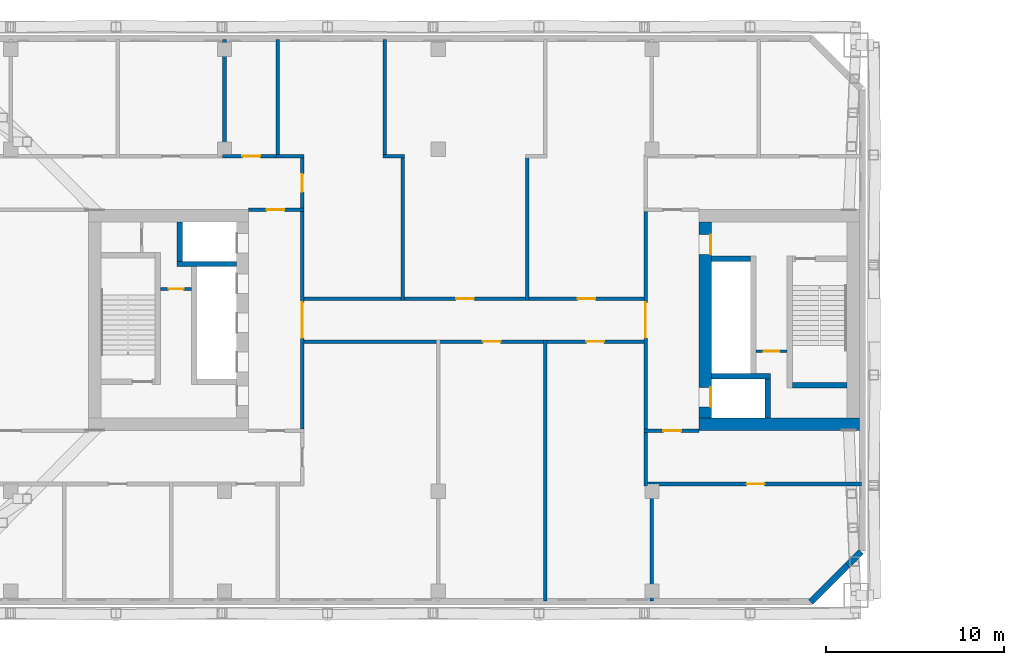
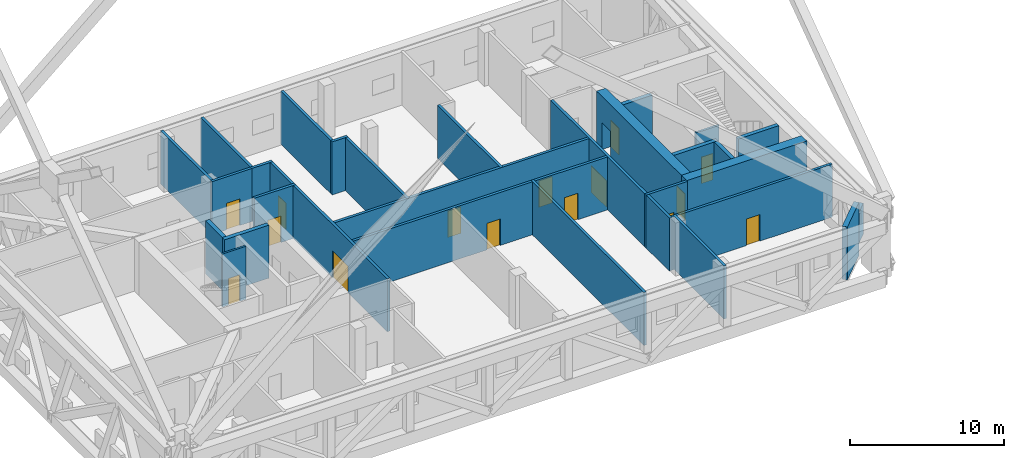
# One storey, part 9 of 20: 31 walls, 15 doors, 15 openings.
"""IFC4 building model written with IfcOpenShell, lengths in metres."""

from ifc_helpers import new_model, si_unit, direction, frame, frame_2d, origin, place, context, subcontext, project, spatial, rectangle, extrude, material, layer, layer_set, type_object, element, fill, save


model = new_model("IFC4")

# Units and contexts
model_context = context("Model", 3, precision=1e-05, world=origin(), true_north=direction((0.0, 1.0)))
body_context = subcontext(model_context, "Body", "Model", "MODEL_VIEW")
ifc_project = project(units=[si_unit("LENGTHUNIT", "METRE"), si_unit("AREAUNIT", "SQUARE_METRE"), si_unit("VOLUMEUNIT", "CUBIC_METRE"), si_unit("PLANEANGLEUNIT", "RADIAN"), si_unit("MASSUNIT", "GRAM", prefix="KILO")], contexts=[model_context])

# Site, building, storey
site_placement = place(None, origin())
site = spatial("IfcSite", under=ifc_project, at=site_placement, CompositionType="ELEMENT")
building_placement = place(site_placement, origin())
building = spatial("IfcBuilding", under=site, at=building_placement, Name="Tuart Gate Housing", CompositionType="ELEMENT")
storey_placement = place(building_placement, frame((0.0, 0.0, 62.89990234375)))
storey = spatial("IfcBuildingStorey", under=building, at=storey_placement, Name="L17", CompositionType="ELEMENT", Elevation=62.89990234375)

# Walls
ifc_material_1 = material(Name="Brick", Category="masonry")
ifc_layer_1 = layer(ifc_material_1, 0.360107421875)
ifc_layer_set_1 = layer_set([ifc_layer_1], Name="Brick pier and spandrel wall 360")
wall_type_1 = type_object("IfcWallType", Name="Brick pier and spandrel wall 360", PredefinedType="STANDARD", material=ifc_layer_set_1)
wall_1_placement = place(storey_placement, frame((72.92529296875, 54.179931640625, 0.0), z_axis=(0.0, 0.0, 1.0), x_axis=(0.707148882153, 0.707064677713, 0.0)))
element("IfcWall", 1, at=wall_1_placement, inside=storey, type_object=wall_type_1, Name="External wall A-SE L17", PredefinedType="STANDARD", context=body_context, shape_type="SweptSolid", body=[
    extrude(rectangle(XDim=2.8994140625, YDim=0.360107421875, at=frame_2d((1.44970703125, 0.0))), origin(), (0.0, 0.0, 1.0), 4.2001953125),
])
wall_2_placement = place(storey_placement, frame((74.9755859375, 56.22998046875, 0.953125), z_axis=(0.0, 0.0, 1.0), x_axis=(0.706994764273, 0.707218780358, 0.0)))
element("IfcWall", 2, at=wall_2_placement, inside=storey, type_object=wall_type_1, Name="External wall A-SE L17", PredefinedType="STANDARD", context=body_context, shape_type="SweptSolid", body=[
    extrude(rectangle(XDim=1.08984375, YDim=0.360107421875, at=frame_2d((0.544921875, 0.0))), origin(), (0.0, 0.0, 1.0), 2.444091796875),
])

# Wall, opening, door
ifc_material_2 = material(Name="Plasterboard partition")
ifc_layer_2 = layer(ifc_material_2, 0.14990234375)
ifc_layer_set_2 = layer_set([ifc_layer_2], Name="Core partition 150")
wall_type_2 = type_object("IfcWallType", Name="Core partition 150", PredefinedType="PARTITIONING", material=ifc_layer_set_2)
wall_3_placement = place(storey_placement, frame((69.840087890625, 68.25, 0.0), z_axis=(0.0, 0.0, 1.0), x_axis=(1.0, 0.0, 0.0)))
wall_3 = element("IfcWall", 3, at=wall_3_placement, inside=storey, type_object=wall_type_2, Name="Core partition AG.3", PredefinedType="PARTITIONING", context=body_context, shape_type="SweptSolid", body=[
    extrude(rectangle(XDim=1.75, YDim=0.14990234375, at=frame_2d((0.875, 0.0))), origin(), (0.0, 0.0, 1.0), 4.2001953125),
])
opening_1_placement = place(wall_3_placement, frame((0.449951171875, 0.0, 0.0)))
opening_1 = element("IfcOpeningElement", 4, at=opening_1_placement, cuts=wall_3, Name="Opening D3332", PredefinedType="OPENING", context=body_context, shape_type="SweptSolid", body=[
    extrude(rectangle(XDim=0.85009765625, YDim=2.10009765625, at=frame_2d((0.425048828125, 1.050048828125))), frame((0.0, 0.0849609375, 0.0), z_axis=(0.0, -1.0, 0.0), x_axis=(1.0, 0.0, 0.0)), (0.0, 0.0, 1.0), 0.169921875),
])
ifc_material_3 = material(Name="Steel fire door", Category="steel")
door_type_1 = type_object("IfcDoorType", Name="Riser door 850 x 2100 RH", OperationType="SINGLE_SWING_RIGHT", PredefinedType="DOOR", material=ifc_material_3)
door_1_placement = place(opening_1_placement, frame((0.85009765625, 0.0, 0.0), z_axis=(0.0, 0.0, 1.0), x_axis=(-1.0, 0.0, 0.0)))
door_1 = element("IfcDoor", 5, at=door_1_placement, inside=storey, type_object=door_type_1, Name="Service room door AG.E1", OperationType="SINGLE_SWING_RIGHT", OverallHeight=2.10009765625, OverallWidth=0.85009765625, PredefinedType="DOOR", context=body_context, shape_type="SweptSolid", body=[
    extrude(rectangle(XDim=0.85009765625, YDim=2.10009765625, at=frame_2d((0.425048828125, 1.050048828125))), frame((0.0, 0.025146484375, 0.0), z_axis=(0.0, -1.0, 0.0), x_axis=(1.0, 0.0, 0.0)), (0.0, 0.0, 1.0), 0.050048828125),
])
fill(opening_1, door_1)

wall_4_placement = place(storey_placement, frame((38.159912109375, 71.75, 0.0), z_axis=(0.0, 0.0, 1.0), x_axis=(-1.0, 0.0, 0.0)))
wall_4 = element("IfcWall", 6, at=wall_4_placement, inside=storey, type_object=wall_type_2, Name="Core partition AK.3", PredefinedType="PARTITIONING", context=body_context, shape_type="SweptSolid", body=[
    extrude(rectangle(XDim=1.75, YDim=0.14990234375, at=frame_2d((0.875, 0.0))), origin(), (0.0, 0.0, 1.0), 4.2001953125),
])
opening_2_placement = place(wall_4_placement, frame((0.449951171875, 0.0, 0.0)))
opening_2 = element("IfcOpeningElement", 7, at=opening_2_placement, cuts=wall_4, Name="Opening D3323", PredefinedType="OPENING", context=body_context, shape_type="SweptSolid", body=[
    extrude(rectangle(XDim=0.85009765625, YDim=2.10009765625, at=frame_2d((0.425048828125, 1.050048828125))), frame((0.0, 0.0849609375, 0.0), z_axis=(0.0, -1.0, 0.0), x_axis=(1.0, 0.0, 0.0)), (0.0, 0.0, 1.0), 0.169921875),
])
door_2_placement = place(opening_2_placement, frame((0.85009765625, 0.0, 0.0), z_axis=(0.0, 0.0, 1.0), x_axis=(-1.0, 0.0, 0.0)))
door_2 = element("IfcDoor", 8, at=door_2_placement, inside=storey, type_object=door_type_1, Name="Service room door AK.E1", OperationType="SINGLE_SWING_RIGHT", OverallHeight=2.10009765625, OverallWidth=0.85009765625, PredefinedType="DOOR", context=body_context, shape_type="SweptSolid", body=[
    extrude(rectangle(XDim=0.85009765625, YDim=2.10009765625, at=frame_2d((0.425048828125, 1.050048828125))), frame((0.0, 0.025146484375, 0.0), z_axis=(0.0, -1.0, 0.0), x_axis=(1.0, 0.0, 0.0)), (0.0, 0.0, 1.0), 0.050048828125),
])
fill(opening_2, door_2)

# Walls
ifc_material_4 = material(Name="Concrete C50", Category="concrete")
ifc_layer_3 = layer(ifc_material_4, 0.300048828125)
ifc_layer_set_3 = layer_set([ifc_layer_3], Name="Core wall 300 C50")
wall_type_3 = type_object("IfcWallType", Name="Core wall 300 C50", PredefinedType="SHEAR", material=ifc_layer_set_3)
wall_5_placement = place(storey_placement, frame((71.889892578125, 66.35009765625, 0.0), z_axis=(0.0, 0.0, 1.0), x_axis=(1.0, 0.0, 0.0)))
element("IfcWall", 9, at=wall_5_placement, inside=storey, type_object=wall_type_3, Name="Core wall AG.1", PredefinedType="SHEAR", context=body_context, shape_type="SweptSolid", body=[
    extrude(rectangle(XDim=3.050048828125, YDim=0.300048828125, at=frame_2d((1.52490234375, 0.0))), origin(), (0.0, 0.0, 1.0), 4.2001953125),
])
wall_6_placement = place(storey_placement, frame((67.340087890625, 66.85009765625, 0.0), z_axis=(0.0, 0.0, 1.0), x_axis=(1.0, 0.0, 0.0)))
element("IfcWall", 10, at=wall_6_placement, inside=storey, type_object=wall_type_3, Name="Core wall AG.2", PredefinedType="SHEAR", context=body_context, shape_type="SweptSolid", body=[
    extrude(rectangle(XDim=3.31982421875, YDim=0.300048828125, at=frame_2d((1.659912109375, 0.0))), origin(), (0.0, 0.0, 1.0), 4.2001953125),
])
for number, where, z_axis, x_axis, name in (
    (11, (67.340087890625, 73.449951171875, 0.0), (0.0, 0.0, 1.0), (1.0, 0.0, 0.0), "Core wall AG.4"),
    (12, (70.510009765625, 64.5, 0.0), (0.0, 0.0, 1.0), (0.0, 1.0, 0.0), "Core wall AG.7"),
):
    element("IfcWall", number, at=place(storey_placement, frame(where, z_axis=z_axis, x_axis=x_axis)), inside=storey, type_object=wall_type_3, Name=name, PredefinedType="SHEAR", context=body_context, shape_type="SweptSolid", body=[
        extrude(rectangle(XDim=2.199951171875, YDim=0.300048828125, at=frame_2d((1.10009765625, 0.0))), origin(), (0.0, 0.0, 1.0), 4.2001953125),
    ])
wall_7_placement = place(storey_placement, frame((40.659912109375, 73.14990234375, 0.0), z_axis=(0.0, 0.0, 1.0), x_axis=(-1.0, 0.0, 0.0)))
element("IfcWall", 13, at=wall_7_placement, inside=storey, type_object=wall_type_3, Name="Core wall AK.2", PredefinedType="SHEAR", context=body_context, shape_type="SweptSolid", body=[
    extrude(rectangle(XDim=3.31982421875, YDim=0.300048828125, at=frame_2d((1.659912109375, 0.0))), origin(), (0.0, 0.0, 1.0), 4.2001953125),
])
wall_8_placement = place(storey_placement, frame((37.489990234375, 75.5, 0.0), z_axis=(0.0, 0.0, 1.0), x_axis=(0.0, -1.0, 0.0)))
element("IfcWall", 14, at=wall_8_placement, inside=storey, type_object=wall_type_3, Name="Core wall AK.7", PredefinedType="SHEAR", context=body_context, shape_type="SweptSolid", body=[
    extrude(rectangle(XDim=2.199951171875, YDim=0.300048828125, at=frame_2d((1.10009765625, 0.0))), origin(), (0.0, 0.0, 1.0), 4.2001953125),
])

# Wall, openings, doors
ifc_material_5 = material(Name="Concrete C50", Category="concrete")
ifc_layer_4 = layer(ifc_material_5, 0.699951171875)
ifc_layer_set_4 = layer_set([ifc_layer_4], Name="Core wall 700 C50")
wall_type_4 = type_object("IfcWallType", Name="Core wall 700 C50", PredefinedType="SHEAR", material=ifc_layer_set_4)
wall_9_placement = place(storey_placement, frame((66.989990234375, 64.5, 0.0), z_axis=(0.0, 0.0, 1.0), x_axis=(0.0, 1.0, 0.0)))
wall_9 = element("IfcWall", 15, at=wall_9_placement, inside=storey, type_object=wall_type_4, Name="Core wall AG front", PredefinedType="SHEAR", context=body_context, shape_type="SweptSolid", body=[
    extrude(rectangle(XDim=11.0, YDim=0.699951171875, at=frame_2d((5.5, 0.0))), origin(), (0.0, 0.0, 1.0), 4.2001953125),
])
opening_3_placement = place(wall_9_placement, frame((0.625, 0.0, 0.0)))
opening_3 = element("IfcOpeningElement", 16, at=opening_3_placement, cuts=wall_9, Name="Opening LD-FA1", PredefinedType="OPENING", context=body_context, shape_type="SweptSolid", body=[
    extrude(rectangle(XDim=1.10009765625, YDim=2.10009765625, at=frame_2d((0.550048828125, 1.050048828125))), frame((0.0, 0.35986328125, 0.0), z_axis=(0.0, -1.0, 0.0), x_axis=(1.0, 0.0, 0.0)), (0.0, 0.0, 1.0), 0.719970703125),
])
opening_4_placement = place(wall_9_placement, frame((9.199951171875, 0.0, 0.0)))
opening_4 = element("IfcOpeningElement", 17, at=opening_4_placement, cuts=wall_9, Name="Opening D3329", PredefinedType="OPENING", context=body_context, shape_type="SweptSolid", body=[
    extrude(rectangle(XDim=1.10009765625, YDim=2.10009765625, at=frame_2d((0.550048828125, 1.050048828125))), frame((0.0, 0.35986328125, 0.0), z_axis=(0.0, -1.0, 0.0), x_axis=(1.0, 0.0, 0.0)), (0.0, 0.0, 1.0), 0.719970703125),
])
ifc_material_6 = material(Name="Stainless steel", Category="steel")
door_type_2 = type_object("IfcDoorType", Name="Landing door 1100 x 2100", OperationType="DOUBLE_DOOR_SLIDING", PredefinedType="DOOR", material=ifc_material_6)
door_3_placement = place(opening_3_placement, origin())
door_3 = element("IfcDoor", 18, at=door_3_placement, inside=storey, type_object=door_type_2, Name="Lift landing door FA1", OperationType="DOUBLE_DOOR_SLIDING", OverallHeight=2.10009765625, OverallWidth=1.10009765625, PredefinedType="DOOR", context=body_context, shape_type="SweptSolid", body=[
    extrude(rectangle(XDim=1.10009765625, YDim=2.10009765625, at=frame_2d((0.550048828125, 1.050048828125))), frame((0.0, -0.28515625, 0.0), z_axis=(0.0, -1.0, 0.0), x_axis=(1.0, 0.0, 0.0)), (0.0, 0.0, 1.0), 0.050048828125),
])
fill(opening_3, door_3)
ifc_material_7 = material(Name="Steel fire door", Category="steel")
door_type_3 = type_object("IfcDoorType", Name="Lobby door 1100 x 2100 RH", OperationType="SINGLE_SWING_RIGHT", PredefinedType="DOOR", material=ifc_material_7)
door_4_placement = place(opening_4_placement, frame((1.10009765625, 0.0, 0.0), z_axis=(0.0, 0.0, 1.0), x_axis=(-1.0, 0.0, 0.0)))
door_4 = element("IfcDoor", 19, at=door_4_placement, inside=storey, type_object=door_type_3, Name="Lobby entry door AG.EN", OperationType="SINGLE_SWING_RIGHT", OverallHeight=2.10009765625, OverallWidth=1.10009765625, PredefinedType="DOOR", context=body_context, shape_type="SweptSolid", body=[
    extrude(rectangle(XDim=1.10009765625, YDim=2.10009765625, at=frame_2d((0.550048828125, 1.050048828125))), frame((0.0, 0.335205078125, 0.0), z_axis=(0.0, -1.0, 0.0), x_axis=(1.0, 0.0, 0.0)), (0.0, 0.0, 1.0), 0.050048828125),
])
fill(opening_4, door_4)

# Wall
wall_10_placement = place(storey_placement, frame((66.639892578125, 64.14990234375, 0.0), z_axis=(0.0, 0.0, 1.0), x_axis=(1.0, 0.0, 0.0)))
element("IfcWall", 20, at=wall_10_placement, inside=storey, type_object=wall_type_4, Name="Core wall AG south", PredefinedType="SHEAR", context=body_context, shape_type="SweptSolid", body=[
    extrude(rectangle(XDim=9.0, YDim=0.699951171875, at=frame_2d((4.5, 0.0))), origin(), (0.0, 0.0, 1.0), 4.2001953125),
])

# Wall, opening, door
ifc_material_8 = material(Name="Concrete masonry 15 MPa", Category="masonry")
ifc_layer_5 = layer(ifc_material_8, 0.199951171875)
ifc_layer_set_5 = layer_set([ifc_layer_5], Name="Corridor wall masonry 200")
wall_type_5 = type_object("IfcWallType", Name="Corridor wall masonry 200", PredefinedType="PARTITIONING", material=ifc_layer_set_5)
wall_11_placement = place(storey_placement, frame((39.89990234375, 79.199951171875, 0.0), z_axis=(0.0, 0.0, 1.0), x_axis=(1.0, 0.0, 0.0)))
wall_11 = element("IfcWall", 21, at=wall_11_placement, inside=storey, type_object=wall_type_5, Name="Corridor wall masonry 200", PredefinedType="PARTITIONING", context=body_context, shape_type="SweptSolid", body=[
    extrude(rectangle(XDim=3.2001953125, YDim=0.199951171875, at=frame_2d((1.60009765625, 0.0))), origin(), (0.0, 0.0, 1.0), 4.2001953125),
])
opening_5_placement = place(wall_11_placement, frame((1.10009765625, 0.0, 0.0)))
opening_5 = element("IfcOpeningElement", 22, at=opening_5_placement, cuts=wall_11, Name="Opening D3315", PredefinedType="OPENING", context=body_context, shape_type="SweptSolid", body=[
    extrude(rectangle(XDim=1.0, YDim=2.10009765625, at=frame_2d((0.5, 1.050048828125))), frame((0.0, 0.10986328125, 0.0), z_axis=(0.0, -1.0, 0.0), x_axis=(1.0, 0.0, 0.0)), (0.0, 0.0, 1.0), 0.219970703125),
])
ifc_material_9 = material(Name="Timber door leaf in steel frame", Category="steel")
door_type_4 = type_object("IfcDoorType", Name="Fire door 1000", OperationType="SINGLE_SWING_LEFT", PredefinedType="DOOR", material=ifc_material_9)
door_5_placement = place(opening_5_placement, origin())
door_5 = element("IfcDoor", 23, at=door_5_placement, inside=storey, type_object=door_type_4, Name="Fire door 1000", OperationType="SINGLE_SWING_LEFT", OverallHeight=2.10009765625, OverallWidth=1.0, PredefinedType="DOOR", context=body_context, shape_type="SweptSolid", body=[
    extrude(rectangle(XDim=1.0, YDim=2.10009765625, at=frame_2d((0.5, 1.050048828125))), frame((0.0, 0.02490234375, 0.0), z_axis=(0.0, -1.0, 0.0), x_axis=(1.0, 0.0, 0.0)), (0.0, 0.0, 1.0), 0.050048828125),
])
fill(opening_5, door_5)

ifc_material_10 = material(Name="Concrete masonry 15 MPa", Category="masonry")
ifc_layer_6 = layer(ifc_material_10, 0.199951171875)
ifc_layer_set_6 = layer_set([ifc_layer_6], Name="Enclosure wall masonry 200")
wall_type_6 = type_object("IfcWallType", Name="Enclosure wall masonry 200", PredefinedType="PARTITIONING", material=ifc_layer_set_6)
wall_12_placement = place(storey_placement, frame((63.5400390625, 60.800048828125, 0.0), z_axis=(0.0, 0.0, 1.0), x_axis=(1.0, 0.0, 0.0)))
wall_12 = element("IfcWall", 24, at=wall_12_placement, inside=storey, type_object=wall_type_6, Name="Enclosure wall masonry 200", PredefinedType="PARTITIONING", context=body_context, shape_type="SweptSolid", body=[
    extrude(rectangle(XDim=12.219970703125, YDim=0.199951171875, at=frame_2d((6.10986328125, 0.0))), origin(), (0.0, 0.0, 1.0), 4.2001953125),
])
opening_6_placement = place(wall_12_placement, frame((5.780029296875, 0.0, 0.0)))
opening_6 = element("IfcOpeningElement", 25, at=opening_6_placement, cuts=wall_12, Name="Opening D3341", PredefinedType="OPENING", context=body_context, shape_type="SweptSolid", body=[
    extrude(rectangle(XDim=1.0, YDim=2.10009765625, at=frame_2d((0.5, 1.050048828125))), frame((0.0, 0.10986328125, 0.0), z_axis=(0.0, -1.0, 0.0), x_axis=(1.0, 0.0, 0.0)), (0.0, 0.0, 1.0), 0.219970703125),
])
ifc_material_11 = material(Name="Timber door leaf in steel frame", Category="steel")
door_type_5 = type_object("IfcDoorType", Name="Fire door 1000 RH", OperationType="SINGLE_SWING_RIGHT", PredefinedType="DOOR", material=ifc_material_11)
door_6_placement = place(opening_6_placement, frame((1.0, 0.0, 0.0), z_axis=(0.0, 0.0, 1.0), x_axis=(-1.0, 0.0, 0.0)))
door_6 = element("IfcDoor", 26, at=door_6_placement, inside=storey, type_object=door_type_5, Name="Fire door 1000", OperationType="SINGLE_SWING_RIGHT", OverallHeight=2.10009765625, OverallWidth=1.0, PredefinedType="DOOR", context=body_context, shape_type="SweptSolid", body=[
    extrude(rectangle(XDim=1.0, YDim=2.10009765625, at=frame_2d((0.5, 1.050048828125))), frame((0.0, 0.025146484375, 0.0), z_axis=(0.0, -1.0, 0.0), x_axis=(1.0, 0.0, 0.0)), (0.0, 0.0, 1.0), 0.050048828125),
])
fill(opening_6, door_6)

wall_13_placement = place(storey_placement, frame((63.5400390625, 63.800048828125, 0.0), z_axis=(0.0, 0.0, 1.0), x_axis=(1.0, 0.0, 0.0)))
wall_13 = element("IfcWall", 27, at=wall_13_placement, inside=storey, type_object=wall_type_6, Name="Enclosure wall masonry 200", PredefinedType="PARTITIONING", context=body_context, shape_type="SweptSolid", body=[
    extrude(rectangle(XDim=3.099853515625, YDim=0.199951171875, at=frame_2d((1.5498046875, 0.0))), origin(), (0.0, 0.0, 1.0), 4.2001953125),
])
opening_7_placement = place(wall_13_placement, frame((1.10009765625, 0.0, 0.0)))
opening_7 = element("IfcOpeningElement", 28, at=opening_7_placement, cuts=wall_13, Name="Opening D3336", PredefinedType="OPENING", context=body_context, shape_type="SweptSolid", body=[
    extrude(rectangle(XDim=1.0, YDim=2.10009765625, at=frame_2d((0.5, 1.050048828125))), frame((0.0, 0.10986328125, 0.0), z_axis=(0.0, -1.0, 0.0), x_axis=(1.0, 0.0, 0.0)), (0.0, 0.0, 1.0), 0.219970703125),
])
ifc_material_12 = material(Name="Timber door leaf in steel frame", Category="steel")
door_type_6 = type_object("IfcDoorType", Name="Lobby door 1000 RH", OperationType="SINGLE_SWING_RIGHT", PredefinedType="DOOR", material=ifc_material_12)
door_7_placement = place(opening_7_placement, frame((1.0, 0.0, 0.0), z_axis=(0.0, 0.0, 1.0), x_axis=(-1.0, 0.0, 0.0)))
door_7 = element("IfcDoor", 29, at=door_7_placement, inside=storey, type_object=door_type_6, Name="Lobby door 1000", OperationType="SINGLE_SWING_RIGHT", OverallHeight=2.10009765625, OverallWidth=1.0, PredefinedType="DOOR", context=body_context, shape_type="SweptSolid", body=[
    extrude(rectangle(XDim=1.0, YDim=2.10009765625, at=frame_2d((0.5, 1.050048828125))), frame((0.0, 0.025146484375, 0.0), z_axis=(0.0, -1.0, 0.0), x_axis=(1.0, 0.0, 0.0)), (0.0, 0.0, 1.0), 0.050048828125),
])
fill(opening_7, door_7)

# Wall, openings, doors
wall_14_placement = place(storey_placement, frame((44.360107421875, 68.800048828125, 0.0), z_axis=(0.0, 0.0, 1.0), x_axis=(1.0, 0.0, 0.0)))
wall_14 = element("IfcWall", 30, at=wall_14_placement, inside=storey, type_object=wall_type_6, Name="Enclosure wall masonry 200", PredefinedType="PARTITIONING", context=body_context, shape_type="SweptSolid", body=[
    extrude(rectangle(XDim=19.27978515625, YDim=0.199951171875, at=frame_2d((9.639892578125, 0.0))), origin(), (0.0, 0.0, 1.0), 4.2001953125),
])
opening_8_placement = place(wall_14_placement, frame((10.139892578125, 0.0, 0.0)))
opening_8 = element("IfcOpeningElement", 31, at=opening_8_placement, cuts=wall_14, Name="Opening D3330", PredefinedType="OPENING", context=body_context, shape_type="SweptSolid", body=[
    extrude(rectangle(XDim=1.0, YDim=2.10009765625, at=frame_2d((0.5, 1.050048828125))), frame((0.0, 0.10986328125, 0.0), z_axis=(0.0, -1.0, 0.0), x_axis=(1.0, 0.0, 0.0)), (0.0, 0.0, 1.0), 0.219970703125),
])
opening_9_placement = place(wall_14_placement, frame((15.9599609375, 0.0, 0.0)))
opening_9 = element("IfcOpeningElement", 32, at=opening_9_placement, cuts=wall_14, Name="Opening D3331", PredefinedType="OPENING", context=body_context, shape_type="SweptSolid", body=[
    extrude(rectangle(XDim=1.0, YDim=2.10009765625, at=frame_2d((0.5, 1.050048828125))), frame((0.0, 0.10986328125, 0.0), z_axis=(0.0, -1.0, 0.0), x_axis=(1.0, 0.0, 0.0)), (0.0, 0.0, 1.0), 0.219970703125),
])
door_8_placement = place(opening_8_placement, frame((1.0, 0.0, 0.0), z_axis=(0.0, 0.0, 1.0), x_axis=(-1.0, 0.0, 0.0)))
door_8 = element("IfcDoor", 33, at=door_8_placement, inside=storey, type_object=door_type_5, Name="Fire door 1000", OperationType="SINGLE_SWING_RIGHT", OverallHeight=2.10009765625, OverallWidth=1.0, PredefinedType="DOOR", context=body_context, shape_type="SweptSolid", body=[
    extrude(rectangle(XDim=1.0, YDim=2.10009765625, at=frame_2d((0.5, 1.050048828125))), frame((0.0, 0.025146484375, 0.0), z_axis=(0.0, -1.0, 0.0), x_axis=(1.0, 0.0, 0.0)), (0.0, 0.0, 1.0), 0.050048828125),
])
fill(opening_8, door_8)
door_9_placement = place(opening_9_placement, frame((1.0, 0.0, 0.0), z_axis=(0.0, 0.0, 1.0), x_axis=(-1.0, 0.0, 0.0)))
door_9 = element("IfcDoor", 34, at=door_9_placement, inside=storey, type_object=door_type_5, Name="Fire door 1000", OperationType="SINGLE_SWING_RIGHT", OverallHeight=2.10009765625, OverallWidth=1.0, PredefinedType="DOOR", context=body_context, shape_type="SweptSolid", body=[
    extrude(rectangle(XDim=1.0, YDim=2.10009765625, at=frame_2d((0.5, 1.050048828125))), frame((0.0, 0.025146484375, 0.0), z_axis=(0.0, -1.0, 0.0), x_axis=(1.0, 0.0, 0.0)), (0.0, 0.0, 1.0), 0.050048828125),
])
fill(opening_9, door_9)

wall_15_placement = place(storey_placement, frame((44.360107421875, 71.199951171875, 0.0), z_axis=(0.0, 0.0, 1.0), x_axis=(1.0, 0.0, 0.0)))
wall_15 = element("IfcWall", 35, at=wall_15_placement, inside=storey, type_object=wall_type_6, Name="Enclosure wall masonry 200", PredefinedType="PARTITIONING", context=body_context, shape_type="SweptSolid", body=[
    extrude(rectangle(XDim=19.27978515625, YDim=0.199951171875, at=frame_2d((9.639892578125, 0.0))), origin(), (0.0, 0.0, 1.0), 4.2001953125),
])
opening_10_placement = place(wall_15_placement, frame((8.639892578125, 0.0, 0.0)))
opening_10 = element("IfcOpeningElement", 36, at=opening_10_placement, cuts=wall_15, Name="Opening D3324", PredefinedType="OPENING", context=body_context, shape_type="SweptSolid", body=[
    extrude(rectangle(XDim=1.0, YDim=2.10009765625, at=frame_2d((0.5, 1.050048828125))), frame((0.0, 0.10986328125, 0.0), z_axis=(0.0, -1.0, 0.0), x_axis=(1.0, 0.0, 0.0)), (0.0, 0.0, 1.0), 0.219970703125),
])
opening_11_placement = place(wall_15_placement, frame((15.4599609375, 0.0, 0.0)))
opening_11 = element("IfcOpeningElement", 37, at=opening_11_placement, cuts=wall_15, Name="Opening D3325", PredefinedType="OPENING", context=body_context, shape_type="SweptSolid", body=[
    extrude(rectangle(XDim=1.0, YDim=2.10009765625, at=frame_2d((0.5, 1.050048828125))), frame((0.0, 0.10986328125, 0.0), z_axis=(0.0, -1.0, 0.0), x_axis=(1.0, 0.0, 0.0)), (0.0, 0.0, 1.0), 0.219970703125),
])
door_10_placement = place(opening_10_placement, origin())
door_10 = element("IfcDoor", 38, at=door_10_placement, inside=storey, type_object=door_type_4, Name="Fire door 1000", OperationType="SINGLE_SWING_LEFT", OverallHeight=2.10009765625, OverallWidth=1.0, PredefinedType="DOOR", context=body_context, shape_type="SweptSolid", body=[
    extrude(rectangle(XDim=1.0, YDim=2.10009765625, at=frame_2d((0.5, 1.050048828125))), frame((0.0, 0.02490234375, 0.0), z_axis=(0.0, -1.0, 0.0), x_axis=(1.0, 0.0, 0.0)), (0.0, 0.0, 1.0), 0.050048828125),
])
fill(opening_10, door_10)
door_11_placement = place(opening_11_placement, origin())
door_11 = element("IfcDoor", 39, at=door_11_placement, inside=storey, type_object=door_type_4, Name="Fire door 1000", OperationType="SINGLE_SWING_LEFT", OverallHeight=2.10009765625, OverallWidth=1.0, PredefinedType="DOOR", context=body_context, shape_type="SweptSolid", body=[
    extrude(rectangle(XDim=1.0, YDim=2.10009765625, at=frame_2d((0.5, 1.050048828125))), frame((0.0, 0.02490234375, 0.0), z_axis=(0.0, -1.0, 0.0), x_axis=(1.0, 0.0, 0.0)), (0.0, 0.0, 1.0), 0.050048828125),
])
fill(opening_11, door_11)

# Wall, opening, door
wall_16_placement = place(storey_placement, frame((41.360107421875, 76.199951171875, 0.0), z_axis=(0.0, 0.0, 1.0), x_axis=(1.0, 0.0, 0.0)))
wall_16 = element("IfcWall", 40, at=wall_16_placement, inside=storey, type_object=wall_type_6, Name="Enclosure wall masonry 200", PredefinedType="PARTITIONING", context=body_context, shape_type="SweptSolid", body=[
    extrude(rectangle(XDim=3.099853515625, YDim=0.199951171875, at=frame_2d((1.5498046875, 0.0))), origin(), (0.0, 0.0, 1.0), 4.2001953125),
])
opening_12_placement = place(wall_16_placement, frame((1.0, 0.0, 0.0)))
opening_12 = element("IfcOpeningElement", 41, at=opening_12_placement, cuts=wall_16, Name="Opening D3319", PredefinedType="OPENING", context=body_context, shape_type="SweptSolid", body=[
    extrude(rectangle(XDim=1.0, YDim=2.10009765625, at=frame_2d((0.5, 1.050048828125))), frame((0.0, 0.10986328125, 0.0), z_axis=(0.0, -1.0, 0.0), x_axis=(1.0, 0.0, 0.0)), (0.0, 0.0, 1.0), 0.219970703125),
])
door_12_placement = place(opening_12_placement, origin())
door_12 = element("IfcDoor", 42, at=door_12_placement, inside=storey, type_object=door_type_6, Name="Lobby door 1000", OperationType="SINGLE_SWING_RIGHT", OverallHeight=2.10009765625, OverallWidth=1.0, PredefinedType="DOOR", context=body_context, shape_type="SweptSolid", body=[
    extrude(rectangle(XDim=1.0, YDim=2.10009765625, at=frame_2d((0.5, 1.050048828125))), frame((0.0, 0.02490234375, 0.0), z_axis=(0.0, -1.0, 0.0), x_axis=(1.0, 0.0, 0.0)), (0.0, 0.0, 1.0), 0.050048828125),
])
fill(opening_12, door_12)

# Walls
wall_17_placement = place(storey_placement, frame((42.89990234375, 79.199951171875, 0.0), z_axis=(0.0, 0.0, 1.0), x_axis=(1.0, 0.0, 0.0)))
element("IfcWall", 43, at=wall_17_placement, inside=storey, type_object=wall_type_6, Name="Enclosure wall masonry 200", PredefinedType="PARTITIONING", context=body_context, shape_type="SweptSolid", body=[
    extrude(rectangle(XDim=1.56005859375, YDim=0.199951171875, at=frame_2d((0.780029296875, 0.0))), origin(), (0.0, 0.0, 1.0), 4.2001953125),
])
wall_18_placement = place(storey_placement, frame((48.89990234375, 79.199951171875, 0.0), z_axis=(0.0, 0.0, 1.0), x_axis=(1.0, 0.0, 0.0)))
element("IfcWall", 44, at=wall_18_placement, inside=storey, type_object=wall_type_6, Name="Enclosure wall masonry 200", PredefinedType="PARTITIONING", context=body_context, shape_type="SweptSolid", body=[
    extrude(rectangle(XDim=1.2001953125, YDim=0.199951171875, at=frame_2d((0.60009765625, 0.0))), origin(), (0.0, 0.0, 1.0), 4.2001953125),
])
for number, where, z_axis, x_axis, name in (
    (45, (40.0, 79.10009765625, 0.0), (0.0, 0.0, 1.0), (0.0, 1.0, 0.0), "Enclosure wall masonry 200"),
    (46, (43.0, 79.10009765625, 0.0), (0.0, 0.0, 1.0), (0.0, 1.0, 0.0), "Enclosure wall masonry 200"),
):
    element("IfcWall", number, at=place(storey_placement, frame(where, z_axis=z_axis, x_axis=x_axis)), inside=storey, type_object=wall_type_6, Name=name, PredefinedType="PARTITIONING", context=body_context, shape_type="SweptSolid", body=[
        extrude(rectangle(XDim=6.659912109375, YDim=0.199951171875, at=frame_2d((3.330078125, 0.0))), origin(), (0.0, 0.0, 1.0), 4.2001953125),
    ])

# Wall, opening, door
wall_19_placement = place(storey_placement, frame((44.360107421875, 76.10009765625, 0.0), z_axis=(0.0, 0.0, 1.0), x_axis=(0.0, 1.0, 0.0)))
wall_19 = element("IfcWall", 47, at=wall_19_placement, inside=storey, type_object=wall_type_6, Name="Enclosure wall masonry 200", PredefinedType="PARTITIONING", context=body_context, shape_type="SweptSolid", body=[
    extrude(rectangle(XDim=3.199951171875, YDim=0.199951171875, at=frame_2d((1.60009765625, 0.0))), origin(), (0.0, 0.0, 1.0), 4.2001953125),
])
opening_13_placement = place(wall_19_placement, frame((1.10009765625, 0.0, 0.0)))
opening_13 = element("IfcOpeningElement", 48, at=opening_13_placement, cuts=wall_19, Name="Opening D3318", PredefinedType="OPENING", context=body_context, shape_type="SweptSolid", body=[
    extrude(rectangle(XDim=1.0, YDim=2.10009765625, at=frame_2d((0.5, 1.050048828125))), frame((0.0, 0.10986328125, 0.0), z_axis=(0.0, -1.0, 0.0), x_axis=(1.0, 0.0, 0.0)), (0.0, 0.0, 1.0), 0.219970703125),
])
door_13_placement = place(opening_13_placement, frame((1.0, 0.0, 0.0), z_axis=(0.0, 0.0, 1.0), x_axis=(-1.0, 0.0, 0.0)))
door_13 = element("IfcDoor", 49, at=door_13_placement, inside=storey, type_object=door_type_5, Name="Fire door 1000", OperationType="SINGLE_SWING_RIGHT", OverallHeight=2.10009765625, OverallWidth=1.0, PredefinedType="DOOR", context=body_context, shape_type="SweptSolid", body=[
    extrude(rectangle(XDim=1.0, YDim=2.10009765625, at=frame_2d((0.5, 1.050048828125))), frame((0.0, 0.025146484375, 0.0), z_axis=(0.0, -1.0, 0.0), x_axis=(1.0, 0.0, 0.0)), (0.0, 0.0, 1.0), 0.050048828125),
])
fill(opening_13, door_13)

# Walls
wall_20_placement = place(storey_placement, frame((49.0, 79.10009765625, 0.0), z_axis=(0.0, 0.0, 1.0), x_axis=(0.0, 1.0, 0.0)))
element("IfcWall", 50, at=wall_20_placement, inside=storey, type_object=wall_type_6, Name="Enclosure wall masonry 200", PredefinedType="PARTITIONING", context=body_context, shape_type="SweptSolid", body=[
    extrude(rectangle(XDim=6.659912109375, YDim=0.199951171875, at=frame_2d((3.330078125, 0.0))), origin(), (0.0, 0.0, 1.0), 4.2001953125),
])
for number, where, z_axis, x_axis, name in (
    (51, (50.0, 71.10009765625, 0.0), (0.0, 0.0, 1.0), (0.0, 1.0, 0.0), "Enclosure wall masonry 200"),
    (52, (57.0, 71.10009765625, 0.0), (0.0, 0.0, 1.0), (0.0, 1.0, 0.0), "Enclosure wall masonry 200"),
):
    element("IfcWall", number, at=place(storey_placement, frame(where, z_axis=z_axis, x_axis=x_axis)), inside=storey, type_object=wall_type_6, Name=name, PredefinedType="PARTITIONING", context=body_context, shape_type="SweptSolid", body=[
        extrude(rectangle(XDim=8.199951171875, YDim=0.199951171875, at=frame_2d((4.10009765625, 0.0))), origin(), (0.0, 0.0, 1.0), 4.2001953125),
    ])
wall_21_placement = place(storey_placement, frame((58.0, 54.239990234375, 0.0), z_axis=(0.0, 0.0, 1.0), x_axis=(0.0, 1.0, 0.0)))
element("IfcWall", 53, at=wall_21_placement, inside=storey, type_object=wall_type_6, Name="Enclosure wall masonry 200", PredefinedType="PARTITIONING", context=body_context, shape_type="SweptSolid", body=[
    extrude(rectangle(XDim=14.659912109375, YDim=0.199951171875, at=frame_2d((7.330078125, 0.0))), origin(), (0.0, 0.0, 1.0), 4.2001953125),
])
wall_22_placement = place(storey_placement, frame((63.639892578125, 60.699951171875, 0.0), z_axis=(0.0, 0.0, 1.0), x_axis=(0.0, 1.0, 0.0)))
element("IfcWall", 54, at=wall_22_placement, inside=storey, type_object=wall_type_6, Name="Enclosure wall masonry 200", PredefinedType="PARTITIONING", context=body_context, shape_type="SweptSolid", body=[
    extrude(rectangle(XDim=3.199951171875, YDim=0.199951171875, at=frame_2d((1.60009765625, 0.0))), origin(), (0.0, 0.0, 1.0), 4.2001953125),
])
wall_23_placement = place(storey_placement, frame((64.0, 54.239990234375, 0.0), z_axis=(0.0, 0.0, 1.0), x_axis=(0.0, 1.0, 0.0)))
element("IfcWall", 55, at=wall_23_placement, inside=storey, type_object=wall_type_6, Name="Enclosure wall masonry 200", PredefinedType="PARTITIONING", context=body_context, shape_type="SweptSolid", body=[
    extrude(rectangle(XDim=6.659912109375, YDim=0.199951171875, at=frame_2d((3.330078125, 0.0))), origin(), (0.0, 0.0, 1.0), 4.2001953125),
])

# Wall, opening, door
ifc_material_13 = material(Name="Plasterboard partition")
ifc_layer_7 = layer(ifc_material_13, 0.199951171875)
ifc_layer_set_7 = layer_set([ifc_layer_7], Name="Lobby wall 200")
wall_type_7 = type_object("IfcWallType", Name="Lobby wall 200", PredefinedType="PARTITIONING", material=ifc_layer_set_7)
wall_24_placement = place(storey_placement, frame((63.639892578125, 63.89990234375, 0.0), z_axis=(0.0, 0.0, 1.0), x_axis=(0.0, 1.0, 0.0)))
wall_24 = element("IfcWall", 56, at=wall_24_placement, inside=storey, type_object=wall_type_7, Name="Lift lobby wall AG", PredefinedType="PARTITIONING", context=body_context, shape_type="SweptSolid", body=[
    extrude(rectangle(XDim=12.2001953125, YDim=0.199951171875, at=frame_2d((6.10009765625, 0.0))), origin(), (0.0, 0.0, 1.0), 4.2001953125),
])
opening_14_placement = place(wall_24_placement, frame((5.10009765625, 0.0, 0.0)))
opening_14 = element("IfcOpeningElement", 57, at=opening_14_placement, cuts=wall_24, Name="Opening D3328", PredefinedType="OPENING", context=body_context, shape_type="SweptSolid", body=[
    extrude(rectangle(XDim=2.0, YDim=2.10009765625, at=frame_2d((1.0, 1.050048828125))), frame((0.0, 0.10986328125, 0.0), z_axis=(0.0, -1.0, 0.0), x_axis=(1.0, 0.0, 0.0)), (0.0, 0.0, 1.0), 0.219970703125),
])
ifc_material_14 = material(Name="Steel fire door", Category="steel")
door_type_7 = type_object("IfcDoorType", Name="Smoke door 2000 x 2100", OperationType="DOUBLE_DOOR_SINGLE_SWING", PredefinedType="DOOR", material=ifc_material_14)
door_14_placement = place(opening_14_placement, frame((2.0, 0.0, 0.0), z_axis=(0.0, 0.0, 1.0), x_axis=(-1.0, 0.0, 0.0)))
door_14 = element("IfcDoor", 58, at=door_14_placement, inside=storey, type_object=door_type_7, Name="Lift lobby smoke door AG", OperationType="DOUBLE_DOOR_SINGLE_SWING", OverallHeight=2.10009765625, OverallWidth=2.0, PredefinedType="DOOR", context=body_context, shape_type="SweptSolid", body=[
    extrude(rectangle(XDim=2.0, YDim=2.10009765625, at=frame_2d((1.0, 1.050048828125))), frame((0.0, 0.025146484375, 0.0), z_axis=(0.0, -1.0, 0.0), x_axis=(1.0, 0.0, 0.0)), (0.0, 0.0, 1.0), 0.050048828125),
])
fill(opening_14, door_14)

wall_25_placement = place(storey_placement, frame((44.360107421875, 63.89990234375, 0.0), z_axis=(0.0, 0.0, 1.0), x_axis=(0.0, 1.0, 0.0)))
wall_25 = element("IfcWall", 59, at=wall_25_placement, inside=storey, type_object=wall_type_7, Name="Lift lobby wall AK", PredefinedType="PARTITIONING", context=body_context, shape_type="SweptSolid", body=[
    extrude(rectangle(XDim=12.2001953125, YDim=0.199951171875, at=frame_2d((6.10009765625, 0.0))), origin(), (0.0, 0.0, 1.0), 4.2001953125),
])
opening_15_placement = place(wall_25_placement, frame((5.10009765625, 0.0, 0.0)))
opening_15 = element("IfcOpeningElement", 60, at=opening_15_placement, cuts=wall_25, Name="Opening D3327", PredefinedType="OPENING", context=body_context, shape_type="SweptSolid", body=[
    extrude(rectangle(XDim=2.0, YDim=2.10009765625, at=frame_2d((1.0, 1.050048828125))), frame((0.0, 0.10986328125, 0.0), z_axis=(0.0, -1.0, 0.0), x_axis=(1.0, 0.0, 0.0)), (0.0, 0.0, 1.0), 0.219970703125),
])
door_15_placement = place(opening_15_placement, origin())
door_15 = element("IfcDoor", 61, at=door_15_placement, inside=storey, type_object=door_type_7, Name="Lift lobby smoke door AK", OperationType="DOUBLE_DOOR_SINGLE_SWING", OverallHeight=2.10009765625, OverallWidth=2.0, PredefinedType="DOOR", context=body_context, shape_type="SweptSolid", body=[
    extrude(rectangle(XDim=2.0, YDim=2.10009765625, at=frame_2d((1.0, 1.050048828125))), frame((0.0, 0.02490234375, 0.0), z_axis=(0.0, -1.0, 0.0), x_axis=(1.0, 0.0, 0.0)), (0.0, 0.0, 1.0), 0.050048828125),
])
fill(opening_15, door_15)

save(model, "model.ifc")
